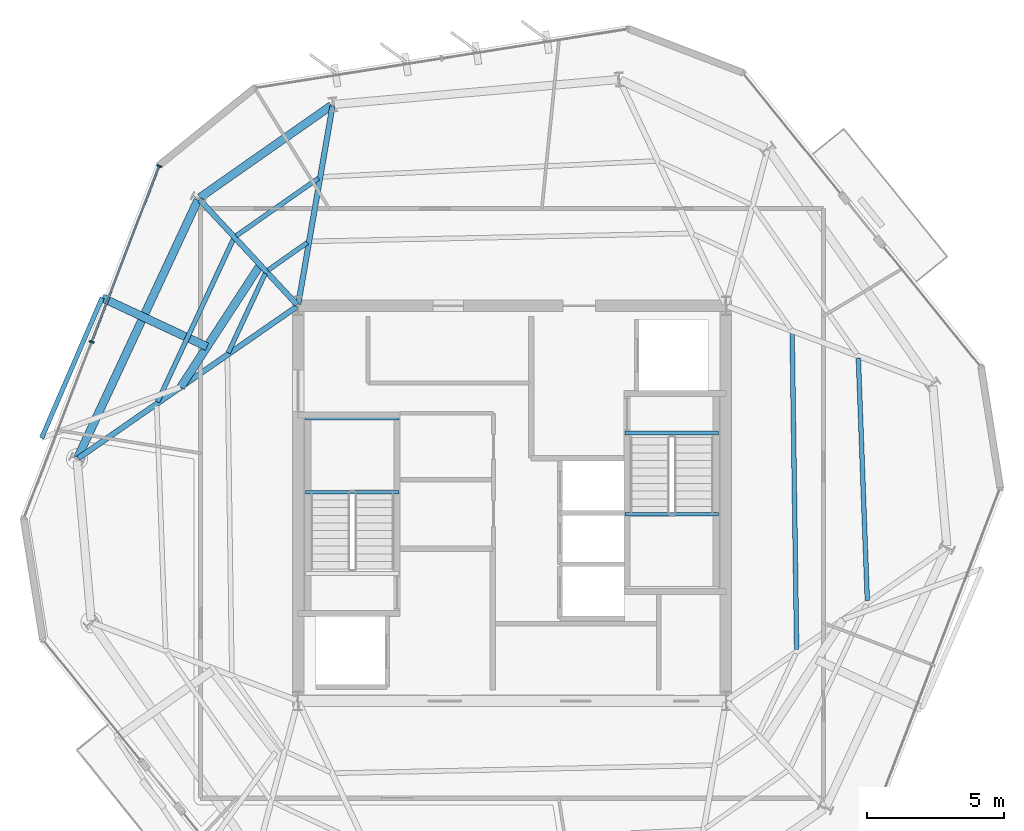
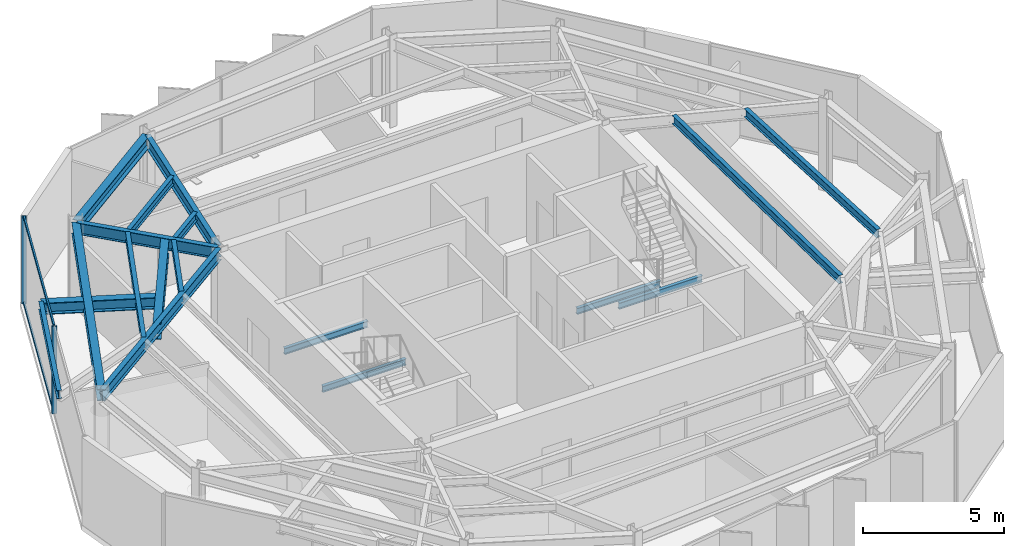
# One storey, part 4 of 10: 18 beams, 4 members, 1 element without a shape of its own.
"""IFC4 building model written with IfcOpenShell, lengths in metres."""

from ifc_helpers import new_model, si_unit, direction, frame, origin, origin_2d, place, context, subcontext, project, spatial, rectangle, i_section, extrude, material, layer, layer_set, material_profile, profile_set, type_object, element, aggregate, save


model = new_model("IFC4")

# Units and contexts
model_context = context("Model", 3, precision=1e-05, world=origin(), true_north=direction((0.0, 1.0)))
body_context = subcontext(model_context, "Body", "Model", "MODEL_VIEW")
ifc_project = project(units=[si_unit("LENGTHUNIT", "METRE"), si_unit("AREAUNIT", "SQUARE_METRE"), si_unit("VOLUMEUNIT", "CUBIC_METRE"), si_unit("PLANEANGLEUNIT", "RADIAN"), si_unit("MASSUNIT", "GRAM", prefix="KILO")], contexts=[model_context])

# Site, building, storey
site_placement = place(None, origin())
site = spatial("IfcSite", under=ifc_project, at=site_placement, CompositionType="ELEMENT")
building_placement = place(site_placement, origin())
building = spatial("IfcBuilding", under=site, at=building_placement, Name="Kranzbogen Civic Tower", CompositionType="ELEMENT")
storey_placement = place(building_placement, frame((0.0, 0.0, 302.199951171875)))
storey = spatial("IfcBuildingStorey", under=building, at=storey_placement, Name="L73", CompositionType="ELEMENT", Elevation=302.199951171875)

# Curtain wall, members
ifc_material_1 = material(Name="Pale Anodised Aluminium", Category="aluminium")
ifc_layer = layer(ifc_material_1, 0.219970703125, Name="Pale Anodised Aluminium")
ifc_layer_set = layer_set([ifc_layer], Name="Pale Anodised Aluminium")
curtain_wall_type = type_object("IfcCurtainWallType", Name="Zone 4 Stick Curtain Wall System CW-05", PredefinedType="USERDEFINED", material=ifc_layer_set)
curtain_wall_placement = place(storey_placement, origin())
curtain_wall = element("IfcCurtainWall", 1, at=curtain_wall_placement, inside=storey, type_object=curtain_wall_type, Name="L73 curtain wall CW-L73-F2", ObjectType="STICK CURTAIN WALL", PredefinedType="USERDEFINED")
ifc_material_profile_1 = material_profile(ifc_material_1, rectangle(XDim=0.06494140625, YDim=0.179931640625, at=origin_2d()), Name="ALU-M 65x180")
ifc_profile_set_1 = profile_set([ifc_material_profile_1], Name="Pale Anodised Aluminium")
member_type_1 = type_object("IfcMemberType", Name="Curtain Wall Mullion ALU-M 65x180", PredefinedType="MULLION", material=ifc_profile_set_1)
member_1_placement = place(storey_placement, frame((12.13916015625, 37.29296875, 0.0), z_axis=(0.0, 0.0, 1.0), x_axis=(-0.358381538796, -0.933575209959, 0.0)))
member_1 = element("IfcMember", 2, at=member_1_placement, type_object=member_type_1, Name="CW-05 mullion 1", PredefinedType="MULLION", context=body_context, shape_type="SweptSolid", body=[
    extrude(rectangle(XDim=0.06494140625, YDim=0.179931640625, at=origin_2d()), origin(), (0.0, 0.0, 1.0), 3.780029296875),
])
member_2_placement = place(storey_placement, frame((9.677978515625, 30.881591796875, 0.0), z_axis=(0.0, 0.0, 1.0), x_axis=(-0.358381538796, -0.933575209959, 0.0)))
member_2 = element("IfcMember", 3, at=member_2_placement, type_object=member_type_1, Name="CW-05 mullion 2", PredefinedType="MULLION", context=body_context, shape_type="SweptSolid", body=[
    extrude(rectangle(XDim=0.06494140625, YDim=0.179931640625, at=origin_2d()), origin(), (0.0, 0.0, 1.0), 3.780029296875),
])
ifc_material_profile_2 = material_profile(ifc_material_1, rectangle(XDim=0.06494140625, YDim=0.135009765625, at=origin_2d()), Name="ALU-T 65x135")
ifc_profile_set_2 = profile_set([ifc_material_profile_2], Name="Pale Anodised Aluminium")
member_type_2 = type_object("IfcMemberType", Name="Curtain Wall Transom ALU-T 65x135", PredefinedType="USERDEFINED", material=ifc_profile_set_2)
member_3_placement = place(storey_placement, frame((12.12841796875, 37.264892578125, 0.030029296875), z_axis=(-0.358375808773, -0.933577409584, 0.0), x_axis=(0.933577409584, -0.358375808773, 0.0)))
member_3 = element("IfcMember", 4, at=member_3_placement, type_object=member_type_2, Name="CW-05 transom 1.1", ObjectType="TRANSOM", PredefinedType="USERDEFINED", context=body_context, shape_type="SweptSolid", body=[
    extrude(rectangle(XDim=0.06494140625, YDim=0.135009765625, at=origin_2d()), origin(), (0.0, 0.0, 1.0), 6.8076171875),
])
member_4_placement = place(storey_placement, frame((12.12841796875, 37.264892578125, 3.75), z_axis=(-0.358375808773, -0.933577409584, 0.0), x_axis=(0.933577409584, -0.358375808773, 0.0)))
member_4 = element("IfcMember", 5, at=member_4_placement, type_object=member_type_2, Name="CW-05 transom 1.2", ObjectType="TRANSOM", PredefinedType="USERDEFINED", context=body_context, shape_type="SweptSolid", body=[
    extrude(rectangle(XDim=0.06494140625, YDim=0.135009765625, at=origin_2d()), origin(), (0.0, 0.0, 1.0), 6.8076171875),
])
aggregate(curtain_wall, [member_1, member_2, member_3, member_4])

# Beams
ifc_material_2 = material(Name="Steel S355", Category="steel")
ifc_material_profile_3 = material_profile(ifc_material_2, i_section(OverallWidth=0.300048828125, OverallDepth=0.5, WebThickness=0.014404296875, FlangeThickness=0.028076171875, at=origin_2d()), Name="HEB 500")
ifc_profile_set_3 = profile_set([ifc_material_profile_3], Name="Steel S355")
beam_type_1 = type_object("IfcBeamType", Name="Perimeter Tube Spandrel Beam HEB 500", PredefinedType="SPANDREL", material=ifc_profile_set_3)
beam_1_placement = place(storey_placement, frame((18.41796875, 39.501953125, 3.530029296875), z_axis=(-0.819059436004, -0.57370867197, 0.0), x_axis=(0.57370867197, -0.819059436004, 0.0)))
element("IfcBeam", 6, at=beam_1_placement, inside=storey, type_object=beam_type_1, Name="L73 perimeter spandrel beam 10", PredefinedType="SPANDREL", context=body_context, shape_type="SweptSolid", body=[
    extrude(i_section(OverallWidth=0.300048828125, OverallDepth=0.5, WebThickness=0.014404296875, FlangeThickness=0.028076171875, at=origin_2d()), origin(), (0.0, 0.0, 1.0), 5.85302734375),
])
beam_2_placement = place(storey_placement, frame((13.550048828125, 36.055908203125, 3.530029296875), z_axis=(-0.422668780888, -0.906284227857, 0.0), x_axis=(0.906284227857, -0.422668780888, 0.0)))
element("IfcBeam", 7, at=beam_2_placement, inside=storey, type_object=beam_type_1, Name="L73 perimeter spandrel beam 11", PredefinedType="SPANDREL", context=body_context, shape_type="SweptSolid", body=[
    extrude(i_section(OverallWidth=0.300048828125, OverallDepth=0.5, WebThickness=0.014404296875, FlangeThickness=0.028076171875, at=origin_2d()), origin(), (0.0, 0.0, 1.0), 10.363037109375),
])
beam_3_placement = place(storey_placement, frame((13.883056640625, 30.70703125, 3.5), z_axis=(-0.906289624809, 0.42265720858, 0.0), x_axis=(-0.42265720858, -0.906289624809, 0.0)))
element("IfcBeam", 8, at=beam_3_placement, inside=storey, type_object=beam_type_1, Name="L74 back-spanned terrace beam L74-TB1-1", PredefinedType="SPANDREL", context=body_context, shape_type="SweptSolid", body=[
    extrude(i_section(OverallWidth=0.300048828125, OverallDepth=0.5, WebThickness=0.014404296875, FlangeThickness=0.028076171875, at=origin_2d()), origin(), (0.0, 0.0, 1.0), 4.216064453125),
])
ifc_material_profile_4 = material_profile(ifc_material_2, i_section(OverallWidth=0.300048828125, OverallDepth=0.699951171875, WebThickness=0.01708984375, FlangeThickness=0.031982421875, at=origin_2d()), Name="HEB 700")
ifc_profile_set_4 = profile_set([ifc_material_profile_4], Name="Steel S355")
beam_type_2 = type_object("IfcBeamType", Name="Perimeter Tube Spandrel Beam HEB 700", PredefinedType="SPANDREL", material=ifc_profile_set_4)
beam_4_placement = place(storey_placement, frame((15.822021484375, 33.68603515625, 3.400146484375), z_axis=(-0.545440514923, -0.83814953599, 0.0), x_axis=(0.83814953599, -0.545440514923, 0.0)))
element("IfcBeam", 9, at=beam_4_placement, inside=storey, type_object=beam_type_2, Name="L74 balcony back-span header girder L74-TB1", PredefinedType="SPANDREL", context=body_context, shape_type="SweptSolid", body=[
    extrude(i_section(OverallWidth=0.300048828125, OverallDepth=0.699951171875, WebThickness=0.01708984375, FlangeThickness=0.031982421875, at=origin_2d()), origin(), (0.0, 0.0, 1.0), 5.31298828125),
])
ifc_material_profile_5 = material_profile(ifc_material_2, i_section(OverallWidth=0.199951171875, OverallDepth=0.5, WebThickness=0.01025390625, FlangeThickness=0.01611328125, at=origin_2d()), Name="IPE 500")
ifc_profile_set_5 = profile_set([ifc_material_profile_5], Name="Steel S355")
beam_type_3 = type_object("IfcBeamType", Name="Radial Tower Floor Girder IPE 500", PredefinedType="BEAM", material=ifc_profile_set_5)
beam_5_placement = place(storey_placement, frame((18.45703125, 39.47705078125, 3.530029296875), z_axis=(-0.170249558486, -0.985400978199, 0.0), x_axis=(0.985400978199, -0.170249558486, 0.0)))
element("IfcBeam", 10, at=beam_5_placement, inside=storey, type_object=beam_type_3, Name="L73 radial floor girder 10", PredefinedType="BEAM", context=body_context, shape_type="SweptSolid", body=[
    extrude(i_section(OverallWidth=0.199951171875, OverallDepth=0.5, WebThickness=0.01025390625, FlangeThickness=0.01611328125, at=origin_2d()), origin(), (0.0, 0.0, 1.0), 7.324951171875),
])
beam_6_placement = place(storey_placement, frame((13.615966796875, 36.06591796875, 3.530029296875), z_axis=(0.679827353702, -0.733372190064, 0.0), x_axis=(0.733372190064, 0.679827353702, 0.0)))
element("IfcBeam", 11, at=beam_6_placement, inside=storey, type_object=beam_type_3, Name="L73 radial floor girder 11", PredefinedType="BEAM", context=body_context, shape_type="SweptSolid", body=[
    extrude(i_section(OverallWidth=0.199951171875, OverallDepth=0.5, WebThickness=0.01025390625, FlangeThickness=0.01611328125, at=origin_2d()), origin(), (0.0, 0.0, 1.0), 5.211669921875),
])
beam_7_placement = place(storey_placement, frame((9.194091796875, 26.64404296875, 3.530029296875), z_axis=(0.821542812331, 0.570146829779, 0.0), x_axis=(-0.570146829779, 0.821542812331, 0.0)))
element("IfcBeam", 12, at=beam_7_placement, inside=storey, type_object=beam_type_3, Name="L73 radial floor girder 12", PredefinedType="BEAM", context=body_context, shape_type="SweptSolid", body=[
    extrude(i_section(OverallWidth=0.199951171875, OverallDepth=0.5, WebThickness=0.01025390625, FlangeThickness=0.01611328125, at=origin_2d()), origin(), (0.0, 0.0, 1.0), 9.68505859375),
])
ifc_material_profile_6 = material_profile(ifc_material_2, i_section(OverallWidth=0.169921875, OverallDepth=0.360107421875, WebThickness=0.008056640625, FlangeThickness=0.0126953125, at=origin_2d()), Name="IPE 360")
ifc_profile_set_6 = profile_set([ifc_material_profile_6], Name="Steel S355")
beam_type_4 = type_object("IfcBeamType", Name="Secondary Composite Floor Joist IPE 360", PredefinedType="JOIST", material=ifc_profile_set_6)
beam_8_placement = place(storey_placement, frame((37.951904296875, 21.4580078125, 3.60009765625), z_axis=(-0.036992246074, 0.999315552631, 0.0), x_axis=(-0.999315552631, -0.036992246074, 0.0)))
element("IfcBeam", 13, at=beam_8_placement, inside=storey, type_object=beam_type_4, Name="L73 secondary floor joist 1.06", PredefinedType="JOIST", context=body_context, shape_type="SweptSolid", body=[
    extrude(i_section(OverallWidth=0.169921875, OverallDepth=0.360107421875, WebThickness=0.008056640625, FlangeThickness=0.0126953125, at=origin_2d()), origin(), (0.0, 0.0, 1.0), 8.837158203125),
])
beam_9_placement = place(storey_placement, frame((35.3759765625, 19.6689453125, 3.60009765625), z_axis=(-0.014221385906, 0.999898870978, 0.0), x_axis=(-0.999898870978, -0.014221385906, 0.0)))
element("IfcBeam", 14, at=beam_9_placement, inside=storey, type_object=beam_type_4, Name="L73 secondary floor joist 2.06", PredefinedType="JOIST", context=body_context, shape_type="SweptSolid", body=[
    extrude(i_section(OverallWidth=0.169921875, OverallDepth=0.360107421875, WebThickness=0.008056640625, FlangeThickness=0.0126953125, at=origin_2d()), origin(), (0.0, 0.0, 1.0), 11.536376953125),
])
beam_10_placement = place(storey_placement, frame((17.945068359375, 36.84912109375, 3.60009765625), z_axis=(-0.819006333711, -0.573784476385, 0.0), x_axis=(0.573784476385, -0.819006333711, 0.0)))
element("IfcBeam", 15, at=beam_10_placement, inside=storey, type_object=beam_type_4, Name="L73 secondary floor joist 1.10", PredefinedType="JOIST", context=body_context, shape_type="SweptSolid", body=[
    extrude(i_section(OverallWidth=0.169921875, OverallDepth=0.360107421875, WebThickness=0.008056640625, FlangeThickness=0.0126953125, at=origin_2d()), origin(), (0.0, 0.0, 1.0), 3.661865234375),
])
beam_11_placement = place(storey_placement, frame((17.5400390625, 34.501953125, 3.60009765625), z_axis=(-0.818956727849, -0.573855276103, 0.0), x_axis=(0.573855276103, -0.818956727849, 0.0)))
element("IfcBeam", 16, at=beam_11_placement, inside=storey, type_object=beam_type_4, Name="L73 secondary floor joist 2.10", PredefinedType="JOIST", context=body_context, shape_type="SweptSolid", body=[
    extrude(i_section(OverallWidth=0.169921875, OverallDepth=0.360107421875, WebThickness=0.008056640625, FlangeThickness=0.0126953125, at=origin_2d()), origin(), (0.0, 0.0, 1.0), 1.751220703125),
])
beam_12_placement = place(storey_placement, frame((14.845947265625, 34.6298828125, 3.60009765625), z_axis=(-0.422542528713, -0.906343098075, 0.0), x_axis=(0.906343098075, -0.422542528713, 0.0)))
element("IfcBeam", 17, at=beam_12_placement, inside=storey, type_object=beam_type_4, Name="L73 secondary floor joist 1.11", PredefinedType="JOIST", context=body_context, shape_type="SweptSolid", body=[
    extrude(i_section(OverallWidth=0.169921875, OverallDepth=0.360107421875, WebThickness=0.008056640625, FlangeThickness=0.0126953125, at=origin_2d()), origin(), (0.0, 0.0, 1.0), 6.548095703125),
])
beam_13_placement = place(storey_placement, frame((16.006103515625, 33.37890625, 3.60009765625), z_axis=(-0.422651143991, -0.906292453065, 0.0), x_axis=(0.906292453065, -0.422651143991, 0.0)))
element("IfcBeam", 18, at=beam_13_placement, inside=storey, type_object=beam_type_4, Name="L73 secondary floor joist 2.11", PredefinedType="JOIST", context=body_context, shape_type="SweptSolid", body=[
    extrude(i_section(OverallWidth=0.169921875, OverallDepth=0.360107421875, WebThickness=0.008056640625, FlangeThickness=0.0126953125, at=origin_2d()), origin(), (0.0, 0.0, 1.0), 3.1943359375),
])
beam_14_placement = place(storey_placement, frame((10.06201171875, 32.489013671875, 3.570068359375), z_axis=(-0.396559536039, -0.918009005607, 0.0), x_axis=(0.918009005607, -0.396559536039, 0.0)))
element("IfcBeam", 19, at=beam_14_placement, inside=storey, type_object=beam_type_4, Name="L74 terrace outer edge trimmer L74-TB1", PredefinedType="JOIST", context=body_context, shape_type="SweptSolid", body=[
    extrude(i_section(OverallWidth=0.169921875, OverallDepth=0.360107421875, WebThickness=0.008056640625, FlangeThickness=0.0126953125, at=origin_2d()), origin(), (0.0, 0.0, 1.0), 5.5654296875),
])
ifc_material_profile_7 = material_profile(ifc_material_2, i_section(OverallWidth=0.135009765625, OverallDepth=0.27001953125, WebThickness=0.006591796875, FlangeThickness=0.01025390625, at=origin_2d()), Name="IPE 270")
ifc_profile_set_7 = profile_set([ifc_material_profile_7], Name="Steel S355")
beam_type_5 = type_object("IfcBeamType", Name="Stair Landing Support Beam IPE 270", PredefinedType="JOIST", material=ifc_profile_set_7)
for number, where, z_axis, x_axis, name in (
    (20, (20.8798828125, 25.39990234375, 1.6650390625), (-1.0, 0.0, 0.0), (0.0, -1.0, 0.0), "L73 ST-T1 landing support beam 1.1"),
    (21, (20.8798828125, 28.10009765625, 1.6650390625), (-1.0, 0.0, 0.0), (0.0, -1.0, 0.0), "L73 ST-T1 landing support beam 1.2"),
    (22, (29.1201171875, 27.56005859375, -0.35498046875), (1.0, 0.0, 0.0), (0.0, 1.0, 0.0), "L73 ST-T2 stair floor header beam"),
    (23, (29.1201171875, 24.60009765625, 1.6650390625), (1.0, 0.0, 0.0), (0.0, 1.0, 0.0), "L73 ST-T2 landing support beam 1.1"),
):
    element("IfcBeam", number, at=place(storey_placement, frame(where, z_axis=z_axis, x_axis=x_axis)), inside=storey, type_object=beam_type_5, Name=name, PredefinedType="JOIST", context=body_context, shape_type="SweptSolid", body=[
        extrude(i_section(OverallWidth=0.135009765625, OverallDepth=0.27001953125, WebThickness=0.006591796875, FlangeThickness=0.01025390625, at=origin_2d()), origin(), (0.0, 0.0, 1.0), 3.409912109375),
    ])

save(model, "model.ifc")
